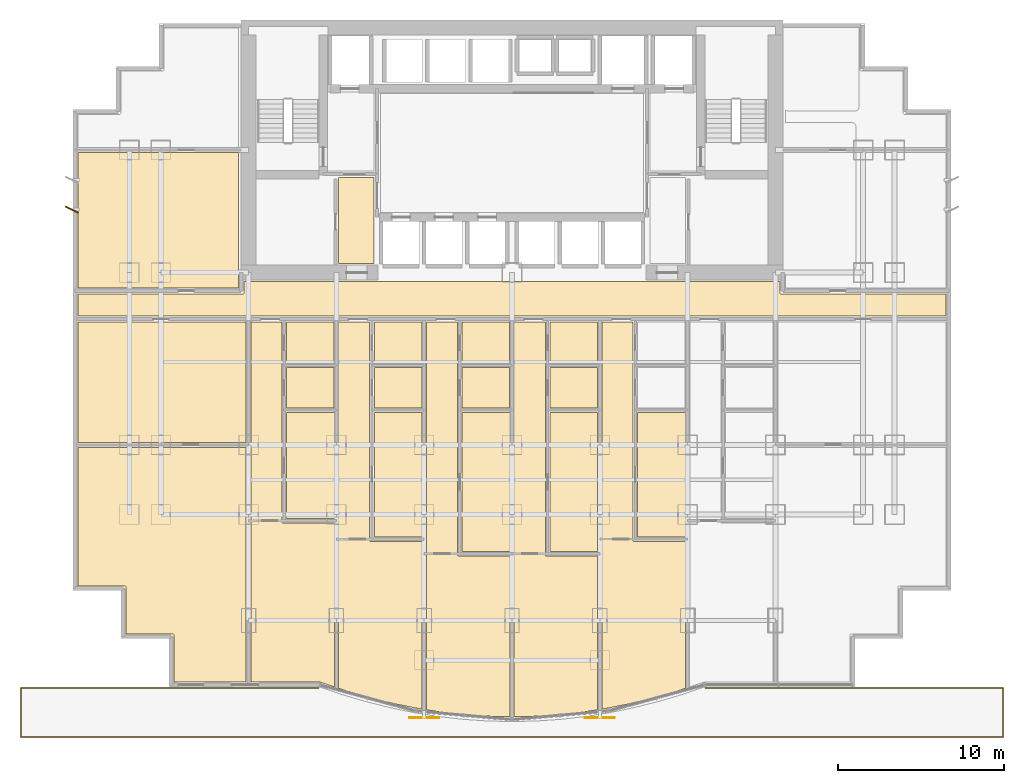
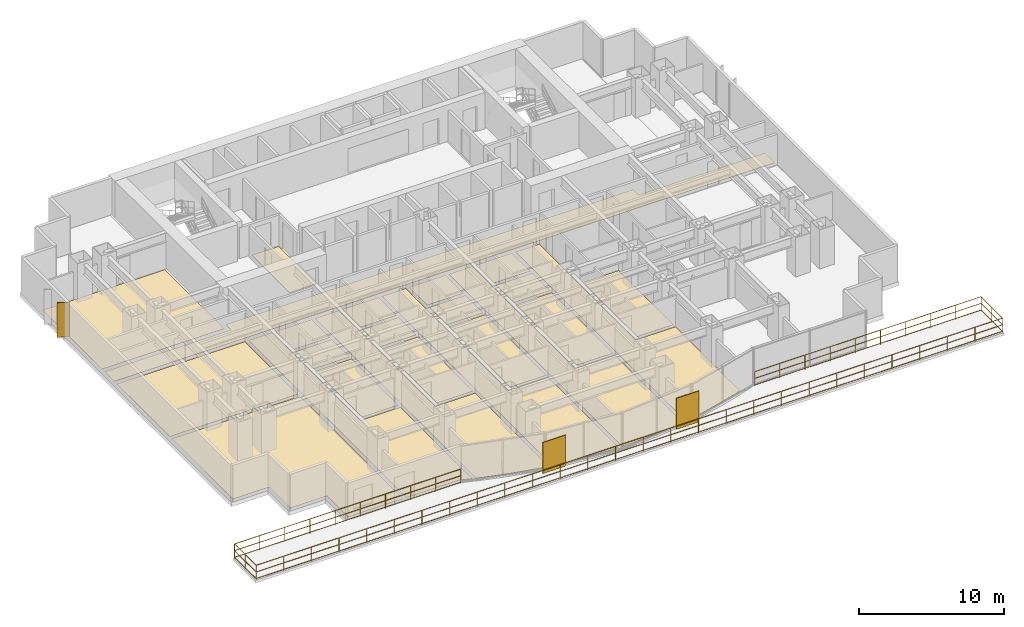
# One storey, part 9 of 11: 23 coverings, 3 shading devices, 1 railing.
"""IFC4 building model written with IfcOpenShell, lengths in metres."""

import ifcopenshell
import ifcopenshell.guid

model = None  # the IFC model being written
_history = None  # IfcOwnerHistory: only IFC2X3 demands one
_inside = {}  # id of a spatial element -> (the spatial element, [elements in it])
_under = {}  # id of a project, library or spatial element -> (it, [spatial elements below it])
_declared = {}  # id of a project -> (the project, [libraries it declares])
_typed = {}  # id of a type object -> (the type object, [elements of that type])
_made_of = {}  # id of a material, layer set ... -> (it, [elements and type objects made of it])


def new_model(schema):
    """Start an empty IFC model of exactly this schema.

    Asked for "IFC4X3", IfcOpenShell would pick the latest addendum, in which some entities
    have other attributes; the version numbers below select the first issue.
    IFC2X3 requires an IfcOwnerHistory on every rooted entity: one is made here for all.
    """
    global model, _history
    if schema == "IFC4X3":
        model = ifcopenshell.file(schema_version=(4, 3, 0, 0))
    else:
        model = ifcopenshell.file(schema=schema)
    _inside.clear()
    _under.clear()
    _declared.clear()
    _typed.clear()
    _made_of.clear()
    _history = None
    if model.schema == "IFC2X3":
        org = make("IfcOrganization", Name="unknown")
        user = make(
            "IfcPersonAndOrganization",
            ThePerson=make("IfcPerson", FamilyName="unknown"),
            TheOrganization=org,
        )
        app = make(
            "IfcApplication",
            ApplicationDeveloper=org,
            Version="unknown",
            ApplicationFullName="unknown",
            ApplicationIdentifier="unknown",
        )
        _history = make(
            "IfcOwnerHistory",
            OwningUser=user,
            OwningApplication=app,
            ChangeAction="ADDED",
            CreationDate=0,
        )
    return model


def make(cls, **values):
    """One entity of the class cls with the attributes given. An attribute that is None is left unset."""
    return model.create_entity(
        cls, **{name: value for name, value in values.items() if value is not None}
    )


def rooted(cls, **values):
    """An entity with a GlobalId (a new one), such as an element, a storey or a relation."""
    return make(cls, GlobalId=ifcopenshell.guid.new(), OwnerHistory=_history, **values)


def si_unit(unit_type, name, prefix=None):
    """IfcSIUnit, for example si_unit("LENGTHUNIT", "METRE", prefix="MILLI")."""
    return make("IfcSIUnit", UnitType=unit_type, Prefix=prefix, Name=name)


def assignment(units):
    """IfcUnitAssignment: the units of a project."""
    return None if units is None else make("IfcUnitAssignment", Units=units)


def point(xyz):
    """IfcCartesianPoint."""
    return None if xyz is None else make("IfcCartesianPoint", Coordinates=xyz)


def direction(xyz):
    """IfcDirection."""
    return None if xyz is None else make("IfcDirection", DirectionRatios=xyz)


def frame(location, z_axis=None, x_axis=None):
    """IfcAxis2Placement3D, a coordinate frame: its origin and axes. An axis left out is left unset."""
    return make(
        "IfcAxis2Placement3D",
        Location=point(location),
        Axis=direction(z_axis),
        RefDirection=direction(x_axis),
    )


def frame_2d(location, x_axis=None):
    """IfcAxis2Placement2D, a coordinate frame in the plane: its origin and x axis."""
    return make(
        "IfcAxis2Placement2D", Location=point(location), RefDirection=direction(x_axis)
    )


def origin():
    """The frame at (0, 0, 0) with its axes left unset."""
    return frame((0.0, 0.0, 0.0))


def origin_2d():
    """The frame at (0, 0) in the plane with its x axis left unset."""
    return frame_2d((0.0, 0.0))


def place(relative_to, where):
    """IfcLocalPlacement: puts the frame where relative to a parent placement (None: the world)."""
    return make(
        "IfcLocalPlacement", PlacementRelTo=relative_to, RelativePlacement=where
    )


def context(
    kind, dimensions, precision=None, world=None, true_north=None, identifier=None
):
    """IfcGeometricRepresentationContext, for example the 3D "Model" context."""
    return make(
        "IfcGeometricRepresentationContext",
        ContextIdentifier=identifier,
        ContextType=kind,
        CoordinateSpaceDimension=dimensions,
        Precision=precision,
        WorldCoordinateSystem=world,
        TrueNorth=true_north,
    )


def subcontext(parent, identifier, kind, view, scale=None):
    """IfcGeometricRepresentationSubContext, for example "Body" below "Model"."""
    return make(
        "IfcGeometricRepresentationSubContext",
        ContextIdentifier=identifier,
        ContextType=kind,
        ParentContext=parent,
        TargetScale=scale,
        TargetView=view,
    )


def project(units=None, contexts=None):
    """IfcProject with its units and contexts."""
    return rooted(
        "IfcProject",
        Name="project",
        RepresentationContexts=contexts,
        UnitsInContext=assignment(units),
    )


def spatial(cls, under=None, at=None, **own):
    """A site, building, storey or space (cls), placed at a placement, below another one or the project."""
    s = rooted(cls, ObjectPlacement=at, **own)
    if under is not None:
        _under.setdefault(under.id(), (under, []))[1].append(s)
    return s


def polyline(points):
    """IfcPolyline through the points."""
    return make("IfcPolyline", Points=[point(p) for p in points])


def profile(cls, at=None, kind="AREA", **sizes):
    """A parametric profile (cls). Its sizes go by their IFC names, for example OverallWidth=200.0."""
    return make(cls, ProfileType=kind, Position=at, **sizes)


def rectangle(**sizes):
    """IfcRectangleProfileDef."""
    return profile("IfcRectangleProfileDef", **sizes)


def circle(**sizes):
    """IfcCircleProfileDef."""
    return profile("IfcCircleProfileDef", **sizes)


def outline(outer, holes=None, kind="AREA"):
    """IfcArbitraryClosedProfileDef: a profile drawn as a closed curve; with holes, ...WithVoids."""
    if holes is None:
        return make("IfcArbitraryClosedProfileDef", ProfileType=kind, OuterCurve=outer)
    return make(
        "IfcArbitraryProfileDefWithVoids",
        ProfileType=kind,
        OuterCurve=outer,
        InnerCurves=holes,
    )


def extrude(swept, where, along, depth):
    """IfcExtrudedAreaSolid: the profile swept, set in the frame where, extruded along a direction by depth."""
    return make(
        "IfcExtrudedAreaSolid",
        SweptArea=swept,
        Position=where,
        ExtrudedDirection=direction(along),
        Depth=depth,
    )


def shape(context_of_items, identifier, shape_type, items):
    """IfcShapeRepresentation: the items that make up one representation, for example the "Body"."""
    return make(
        "IfcShapeRepresentation",
        ContextOfItems=context_of_items,
        RepresentationIdentifier=identifier,
        RepresentationType=shape_type,
        Items=items,
    )


def source(mapping_origin, context_of_items, identifier, shape_type, items):
    """IfcRepresentationMap: a shape defined once, which mapped items show again and again."""
    return make(
        "IfcRepresentationMap",
        MappingOrigin=mapping_origin,
        MappedRepresentation=shape(context_of_items, identifier, shape_type, items),
    )


def transform(
    local_origin,
    x_axis=None,
    y_axis=None,
    z_axis=None,
    scale=None,
    scale2=None,
    scale3=None,
    uniform=True,
):
    """IfcCartesianTransformationOperator3D, or its non-uniform kind. x_axis, y_axis, z_axis: its Axis1, 2, 3."""
    if uniform:
        return make(
            "IfcCartesianTransformationOperator3D",
            Axis1=direction(x_axis),
            Axis2=direction(y_axis),
            LocalOrigin=point(local_origin),
            Scale=scale,
            Axis3=direction(z_axis),
        )
    return make(
        "IfcCartesianTransformationOperator3DnonUniform",
        Axis1=direction(x_axis),
        Axis2=direction(y_axis),
        LocalOrigin=point(local_origin),
        Scale=scale,
        Axis3=direction(z_axis),
        Scale2=scale2,
        Scale3=scale3,
    )


def mapped(mapping_source, mapping_target):
    """IfcMappedItem: shows the shape of a source again, moved by a transform."""
    return make(
        "IfcMappedItem", MappingSource=mapping_source, MappingTarget=mapping_target
    )


def material(Name=None, Category=None):
    """IfcMaterial."""
    return make("IfcMaterial", Name=Name, Category=Category)


def layer(
    of_material, thickness, ventilated=None, Name=None, Category=None, Priority=None
):
    """IfcMaterialLayer: one layer of a wall or slab, of a material (None: an air gap)."""
    return make(
        "IfcMaterialLayer",
        Material=of_material,
        LayerThickness=thickness,
        IsVentilated=ventilated,
        Name=Name,
        Category=Category,
        Priority=Priority,
    )


def layer_set(layers, Name=None):
    """IfcMaterialLayerSet."""
    return make("IfcMaterialLayerSet", MaterialLayers=layers, LayerSetName=Name)


def made_of(thing, what):
    """Note that an element or type object is made of a material, layer set ...; save() writes the relation."""
    if what is not None:
        _made_of.setdefault(what.id(), (what, []))[1].append(thing)
    return thing


def type_object(cls, material=None, **own):
    """A type object (cls), such as IfcWallType, which elements share."""
    return made_of(rooted(cls, **own), material)


def element(
    cls,
    number,
    at=None,
    inside=None,
    cuts=None,
    type_object=None,
    material=None,
    context=None,
    identifier="Body",
    shape_type=None,
    held_by="IfcProductDefinitionShape",
    body=None,
    shapes=None,
    **own,
):
    """One element of the class cls, such as IfcWall. Its Tag is "e" and its number.

    at: its placement. inside: the storey or other place that contains it. cuts: it is an
    opening in that element (IfcRelVoidsElement). A single representation is given by context,
    identifier, shape_type and body (its items); several are given by shapes. held_by: the class
    of the entity that holds the representations. save() writes the other relations.
    """
    e = rooted(cls, Tag="e%d" % number, ObjectPlacement=at, **own)
    if body is not None:
        shapes = [shape(context, identifier, shape_type, body)]
    if shapes is not None:
        e.Representation = make(held_by, Representations=shapes)
    if inside is not None:
        _inside.setdefault(inside.id(), (inside, []))[1].append(e)
    if cuts is not None:
        rooted(
            "IfcRelVoidsElement", RelatingBuildingElement=cuts, RelatedOpeningElement=e
        )
    if type_object is not None:
        _typed.setdefault(type_object.id(), (type_object, []))[1].append(e)
    return made_of(e, material)


def aggregate(whole, parts):
    """IfcRelAggregates: a whole, such as a stair, and the parts it consists of."""
    return rooted("IfcRelAggregates", RelatingObject=whole, RelatedObjects=parts)


def save(model, path):
    """Write the relations noted so far, then the file.

    IfcRelAggregates (storeys below a building ...), IfcRelContainedInSpatialStructure (elements
    in a storey), IfcRelDefinesByType, IfcRelAssociatesMaterial and IfcRelDeclares: one each for
    every whole, place, type object, material and project.
    """
    for whole, parts in _under.values():
        aggregate(whole, parts)
    for where, things in _inside.values():
        rooted(
            "IfcRelContainedInSpatialStructure",
            RelatedElements=things,
            RelatingStructure=where,
        )
    for kind, things in _typed.values():
        rooted("IfcRelDefinesByType", RelatedObjects=things, RelatingType=kind)
    for what, things in _made_of.values():
        rooted("IfcRelAssociatesMaterial", RelatedObjects=things, RelatingMaterial=what)
    for by, libraries in _declared.values():
        rooted("IfcRelDeclares", RelatingContext=by, RelatedDefinitions=libraries)
    model.write(path)


model = new_model("IFC4")

# Units and contexts
model_context = context("Model", 3, precision=1e-05, world=origin(), true_north=direction((0.0, 1.0)))
body_context = subcontext(model_context, "Body", "Model", "MODEL_VIEW")
ifc_project = project(units=[si_unit("LENGTHUNIT", "METRE"), si_unit("AREAUNIT", "SQUARE_METRE"), si_unit("VOLUMEUNIT", "CUBIC_METRE"), si_unit("PLANEANGLEUNIT", "RADIAN"), si_unit("MASSUNIT", "GRAM", prefix="KILO")], contexts=[model_context])

# Site, building, storey
site_placement = place(None, origin())
site = spatial("IfcSite", under=ifc_project, at=site_placement, CompositionType="ELEMENT")
building_placement = place(site_placement, origin())
building = spatial("IfcBuilding", under=site, at=building_placement, Name="Qianlan Lanfeng Residences", CompositionType="ELEMENT")
storey_placement = place(building_placement, frame((0.0, 0.0, 24.199951171875)))
storey = spatial("IfcBuildingStorey", under=building, at=storey_placement, Name="L05", CompositionType="ELEMENT", Elevation=24.199951171875)

# Coverings
ifc_material_1 = material(Name="Honed Taitung Granite Stone Flooring", Category="masonry")
ifc_layer_1 = layer(ifc_material_1, 0.030029296875)
ifc_layer_set_1 = layer_set([ifc_layer_1], Name="Honed Taitung Granite Stone Flooring")
covering_type_1 = type_object("IfcCoveringType", Name="FLR-STN-30", PredefinedType="FLOORING", material=ifc_layer_set_1)
covering_1_placement = place(storey_placement, origin())
element("IfcCovering", 1, at=covering_1_placement, inside=storey, type_object=covering_type_1, Name="L05 Residential Corridor Floor Finish", PredefinedType="FLOORING", context=body_context, shape_type="SweptSolid", body=[
    extrude(outline(polyline([(0.2900390625, 22.580078125), (52.7099609375, 22.580078125), (52.7099609375, 23.919921875), (42.739990234375, 23.919921875), (42.73291015625, 23.919921875), (42.72607421875, 23.9208984375), (42.719970703125, 23.923095703125), (42.712890625, 23.925048828125), (42.70703125, 23.927978515625), (42.700927734375, 23.931884765625), (42.696044921875, 23.93603515625), (42.69091796875, 23.94091796875), (42.68603515625, 23.946044921875), (42.681884765625, 23.950927734375), (42.677978515625, 23.95703125), (42.675048828125, 23.962890625), (42.673095703125, 23.969970703125), (42.6708984375, 23.97607421875), (42.669921875, 23.98291015625), (42.669921875, 23.989990234375), (42.669921875, 24.64990234375), (10.330078125, 24.64990234375), (10.330078125, 23.989990234375), (10.330078125, 23.98291015625), (10.3291015625, 23.97607421875), (10.326904296875, 23.969970703125), (10.324951171875, 23.962890625), (10.322021484375, 23.95703125), (10.318115234375, 23.950927734375), (10.31396484375, 23.946044921875), (10.30908203125, 23.94091796875), (10.303955078125, 23.93603515625), (10.299072265625, 23.931884765625), (10.29296875, 23.927978515625), (10.287109375, 23.925048828125), (10.280029296875, 23.923095703125), (10.27392578125, 23.9208984375), (10.26708984375, 23.919921875), (10.260009765625, 23.919921875), (0.2900390625, 23.919921875), (0.2900390625, 22.580078125)])), origin(), (0.0, 0.0, 1.0), 0.030029296875),
])
covering_2_placement = place(storey_placement, origin())
element("IfcCovering", 2, at=covering_2_placement, inside=storey, type_object=covering_type_1, Name="L05 Lift Lobby Floor Finish", PredefinedType="FLOORING", context=body_context, shape_type="SweptSolid", body=[
    extrude(outline(polyline([(16.030029296875, 25.760009765625), (18.169921875, 25.760009765625), (18.169921875, 30.949951171875), (16.030029296875, 30.949951171875), (16.030029296875, 25.760009765625)])), origin(), (0.0, 0.0, 1.0), 0.030029296875),
])
ifc_material_2 = material(Name="Slip-Resistant Porcelain Tile Flooring")
ifc_layer_2 = layer(ifc_material_2, 0.02001953125)
ifc_layer_set_2 = layer_set([ifc_layer_2], Name="Slip-Resistant Porcelain Tile Flooring")
covering_type_2 = type_object("IfcCoveringType", Name="FLR-TIL-20", PredefinedType="FLOORING", material=ifc_layer_set_2)
covering_3_placement = place(storey_placement, origin())
element("IfcCovering", 3, at=covering_3_placement, inside=storey, type_object=covering_type_2, Name="L05 Kitchen Floor Finish", PredefinedType="FLOORING", context=body_context, shape_type="SweptSolid", body=[
    extrude(outline(polyline([(12.889892578125, 17.0400390625), (15.760009765625, 17.0400390625), (15.760009765625, 19.4599609375), (12.889892578125, 19.4599609375), (12.889892578125, 17.0400390625)])), origin(), (0.0, 0.0, 1.0), 0.02001953125),
])
covering_4_placement = place(storey_placement, origin())
element("IfcCovering", 4, at=covering_4_placement, inside=storey, type_object=covering_type_2, Name="L05 Bathroom Floor Finish", PredefinedType="FLOORING", context=body_context, shape_type="SweptSolid", body=[
    extrude(outline(polyline([(12.889892578125, 19.739990234375), (15.760009765625, 19.739990234375), (15.760009765625, 22.22998046875), (12.889892578125, 22.22998046875), (12.889892578125, 19.739990234375)])), origin(), (0.0, 0.0, 1.0), 0.02001953125),
])
covering_5_placement = place(storey_placement, origin())
element("IfcCovering", 5, at=covering_5_placement, inside=storey, type_object=covering_type_2, Name="L05 Kitchen Floor Finish", PredefinedType="FLOORING", context=body_context, shape_type="SweptSolid", body=[
    extrude(outline(polyline([(18.18994140625, 17.0400390625), (21.06005859375, 17.0400390625), (21.06005859375, 19.4599609375), (18.18994140625, 19.4599609375), (18.18994140625, 17.0400390625)])), origin(), (0.0, 0.0, 1.0), 0.02001953125),
])
covering_6_placement = place(storey_placement, origin())
element("IfcCovering", 6, at=covering_6_placement, inside=storey, type_object=covering_type_2, Name="L05 Bathroom Floor Finish", PredefinedType="FLOORING", context=body_context, shape_type="SweptSolid", body=[
    extrude(outline(polyline([(18.18994140625, 19.739990234375), (21.06005859375, 19.739990234375), (21.06005859375, 22.22998046875), (18.18994140625, 22.22998046875), (18.18994140625, 19.739990234375)])), origin(), (0.0, 0.0, 1.0), 0.02001953125),
])
covering_7_placement = place(storey_placement, origin())
element("IfcCovering", 7, at=covering_7_placement, inside=storey, type_object=covering_type_2, Name="L05 Kitchen Floor Finish", PredefinedType="FLOORING", context=body_context, shape_type="SweptSolid", body=[
    extrude(outline(polyline([(23.489990234375, 17.0400390625), (26.360107421875, 17.0400390625), (26.360107421875, 19.4599609375), (23.489990234375, 19.4599609375), (23.489990234375, 17.0400390625)])), origin(), (0.0, 0.0, 1.0), 0.02001953125),
])
covering_8_placement = place(storey_placement, origin())
element("IfcCovering", 8, at=covering_8_placement, inside=storey, type_object=covering_type_2, Name="L05 Bathroom Floor Finish", PredefinedType="FLOORING", context=body_context, shape_type="SweptSolid", body=[
    extrude(outline(polyline([(23.489990234375, 19.739990234375), (26.360107421875, 19.739990234375), (26.360107421875, 22.22998046875), (23.489990234375, 22.22998046875), (23.489990234375, 19.739990234375)])), origin(), (0.0, 0.0, 1.0), 0.02001953125),
])
covering_9_placement = place(storey_placement, origin())
element("IfcCovering", 9, at=covering_9_placement, inside=storey, type_object=covering_type_2, Name="L05 Kitchen Floor Finish", PredefinedType="FLOORING", context=body_context, shape_type="SweptSolid", body=[
    extrude(outline(polyline([(28.7900390625, 17.0400390625), (31.659912109375, 17.0400390625), (31.659912109375, 19.4599609375), (28.7900390625, 19.4599609375), (28.7900390625, 17.0400390625)])), origin(), (0.0, 0.0, 1.0), 0.02001953125),
])
covering_10_placement = place(storey_placement, origin())
element("IfcCovering", 10, at=covering_10_placement, inside=storey, type_object=covering_type_2, Name="L05 Bathroom Floor Finish", PredefinedType="FLOORING", context=body_context, shape_type="SweptSolid", body=[
    extrude(outline(polyline([(28.7900390625, 19.739990234375), (31.659912109375, 19.739990234375), (31.659912109375, 22.22998046875), (28.7900390625, 22.22998046875), (28.7900390625, 19.739990234375)])), origin(), (0.0, 0.0, 1.0), 0.02001953125),
])
ifc_material_3 = material(Name="Engineered Smoked Oak Timber Flooring", Category="wood")
ifc_layer_3 = layer(ifc_material_3, 0.02197265625)
ifc_layer_set_3 = layer_set([ifc_layer_3], Name="Engineered Smoked Oak Timber Flooring")
covering_type_3 = type_object("IfcCoveringType", Name="FLR-TIM-22", PredefinedType="FLOORING", material=ifc_layer_set_3)
covering_11_placement = place(storey_placement, origin())
element("IfcCovering", 11, at=covering_11_placement, inside=storey, type_object=covering_type_3, Name="L05 Studio Living Room Floor Finish", PredefinedType="FLOORING", context=body_context, shape_type="SweptSolid", body=[
    extrude(outline(polyline([(15.77001953125, 0.195068359375), (15.77001953125, 10.080078125), (12.679931640625, 10.080078125), (12.673095703125, 10.080078125), (12.666015625, 10.0810546875), (12.659912109375, 10.0830078125), (12.653076171875, 10.0849609375), (12.64697265625, 10.087890625), (12.64111328125, 10.092041015625), (12.635986328125, 10.095947265625), (12.631103515625, 10.10107421875), (12.6259765625, 10.10595703125), (12.6220703125, 10.111083984375), (12.617919921875, 10.116943359375), (12.614990234375, 10.123046875), (12.613037109375, 10.1298828125), (12.611083984375, 10.135986328125), (12.610107421875, 10.14306640625), (12.610107421875, 10.14990234375), (12.610107421875, 22.22998046875), (10.72998046875, 22.22998046875), (10.72998046875, 0.489990234375), (14.885986328125, 0.489990234375), (14.89404296875, 0.489990234375), (14.90087890625, 0.488037109375), (14.908935546875, 0.486083984375), (15.77001953125, 0.195068359375)])), origin(), (0.0, 0.0, 1.0), 0.02197265625),
])
covering_12_placement = place(storey_placement, origin())
element("IfcCovering", 12, at=covering_12_placement, inside=storey, type_object=covering_type_3, Name="L05 Villa Family Sitting Room Floor Finish", PredefinedType="FLOORING", context=body_context, shape_type="SweptSolid", body=[
    extrude(outline(polyline([(12.889892578125, 16.760009765625), (12.889892578125, 10.360107421875), (15.77001953125, 10.360107421875), (15.77001953125, 16.760009765625), (12.889892578125, 16.760009765625)])), origin(), (0.0, 0.0, 1.0), 0.02197265625),
])
covering_13_placement = place(storey_placement, origin())
element("IfcCovering", 13, at=covering_13_placement, inside=storey, type_object=covering_type_3, Name="L05 Studio Living Room Floor Finish", PredefinedType="FLOORING", context=body_context, shape_type="SweptSolid", body=[
    extrude(outline(polyline([(21.070068359375, -1.14404296875), (21.070068359375, 8.971923828125), (17.97998046875, 8.971923828125), (17.972900390625, 8.971923828125), (17.966064453125, 8.972900390625), (17.9599609375, 8.97509765625), (17.952880859375, 8.97705078125), (17.947021484375, 8.97998046875), (17.94091796875, 8.98388671875), (17.93603515625, 8.988037109375), (17.930908203125, 8.992919921875), (17.926025390625, 8.998046875), (17.922119140625, 9.0029296875), (17.91796875, 9.009033203125), (17.9150390625, 9.014892578125), (17.9130859375, 9.02197265625), (17.910888671875, 9.028076171875), (17.909912109375, 9.034912109375), (17.909912109375, 9.0419921875), (17.909912109375, 22.22998046875), (16.030029296875, 22.22998046875), (16.030029296875, 0.10693359375), (16.39306640625, -0.014892578125), (17.837890625, -0.43896484375), (19.282958984375, -0.797119140625), (20.72607421875, -1.090087890625), (21.070068359375, -1.14404296875)])), origin(), (0.0, 0.0, 1.0), 0.02197265625),
])
covering_14_placement = place(storey_placement, origin())
element("IfcCovering", 14, at=covering_14_placement, inside=storey, type_object=covering_type_3, Name="L05 Villa Family Sitting Room Floor Finish", PredefinedType="FLOORING", context=body_context, shape_type="SweptSolid", body=[
    extrude(outline(polyline([(18.18994140625, 16.760009765625), (18.18994140625, 9.251953125), (21.070068359375, 9.251953125), (21.070068359375, 16.760009765625), (18.18994140625, 16.760009765625)])), origin(), (0.0, 0.0, 1.0), 0.02197265625),
])
covering_15_placement = place(storey_placement, origin())
element("IfcCovering", 15, at=covering_15_placement, inside=storey, type_object=covering_type_3, Name="L05 Studio Living Room Floor Finish", PredefinedType="FLOORING", context=body_context, shape_type="SweptSolid", body=[
    extrude(outline(polyline([(26.3701171875, -1.60693359375), (26.3701171875, 8.093994140625), (23.280029296875, 8.093994140625), (23.27294921875, 8.093994140625), (23.26611328125, 8.094970703125), (23.260009765625, 8.096923828125), (23.2529296875, 8.09912109375), (23.2470703125, 8.10205078125), (23.240966796875, 8.10595703125), (23.236083984375, 8.110107421875), (23.23095703125, 8.114990234375), (23.22607421875, 8.1201171875), (23.221923828125, 8.125), (23.218017578125, 8.131103515625), (23.215087890625, 8.136962890625), (23.212890625, 8.14404296875), (23.2109375, 8.14990234375), (23.2099609375, 8.156982421875), (23.2099609375, 8.1640625), (23.2099609375, 22.22998046875), (21.330078125, 22.22998046875), (21.330078125, -1.18505859375), (22.169921875, -1.318115234375), (23.613037109375, -1.47998046875), (25.056884765625, -1.576904296875), (26.3701171875, -1.60693359375)])), origin(), (0.0, 0.0, 1.0), 0.02197265625),
])
covering_16_placement = place(storey_placement, origin())
element("IfcCovering", 16, at=covering_16_placement, inside=storey, type_object=covering_type_3, Name="L05 Villa Family Sitting Room Floor Finish", PredefinedType="FLOORING", context=body_context, shape_type="SweptSolid", body=[
    extrude(outline(polyline([(23.489990234375, 16.760009765625), (23.489990234375, 8.3740234375), (26.3701171875, 8.3740234375), (26.3701171875, 16.760009765625), (23.489990234375, 16.760009765625)])), origin(), (0.0, 0.0, 1.0), 0.02197265625),
])
covering_17_placement = place(storey_placement, origin())
element("IfcCovering", 17, at=covering_17_placement, inside=storey, type_object=covering_type_3, Name="L05 Studio Living Room Floor Finish", PredefinedType="FLOORING", context=body_context, shape_type="SweptSolid", body=[
    extrude(outline(polyline([(31.669921875, -1.18505859375), (31.669921875, 8.093994140625), (28.580078125, 8.093994140625), (28.572998046875, 8.093994140625), (28.56591796875, 8.094970703125), (28.56005859375, 8.096923828125), (28.552978515625, 8.09912109375), (28.547119140625, 8.10205078125), (28.541015625, 8.10595703125), (28.535888671875, 8.110107421875), (28.531005859375, 8.114990234375), (28.52587890625, 8.1201171875), (28.52197265625, 8.125), (28.51806640625, 8.131103515625), (28.514892578125, 8.136962890625), (28.512939453125, 8.14404296875), (28.510986328125, 8.14990234375), (28.510009765625, 8.156982421875), (28.510009765625, 8.1640625), (28.510009765625, 22.22998046875), (26.6298828125, 22.22998046875), (26.6298828125, -1.60693359375), (27.943115234375, -1.576904296875), (29.385986328125, -1.47998046875), (30.830078125, -1.318115234375), (31.669921875, -1.18505859375)])), origin(), (0.0, 0.0, 1.0), 0.02197265625),
])
covering_18_placement = place(storey_placement, origin())
element("IfcCovering", 18, at=covering_18_placement, inside=storey, type_object=covering_type_3, Name="L05 Villa Family Sitting Room Floor Finish", PredefinedType="FLOORING", context=body_context, shape_type="SweptSolid", body=[
    extrude(outline(polyline([(28.7900390625, 16.760009765625), (28.7900390625, 8.3740234375), (31.669921875, 8.3740234375), (31.669921875, 16.760009765625), (28.7900390625, 16.760009765625)])), origin(), (0.0, 0.0, 1.0), 0.02197265625),
])
covering_19_placement = place(storey_placement, origin())
element("IfcCovering", 19, at=covering_19_placement, inside=storey, type_object=covering_type_3, Name="L05 Studio Living Room Floor Finish", PredefinedType="FLOORING", context=body_context, shape_type="SweptSolid", body=[
    extrude(outline(polyline([(36.969970703125, 0.10693359375), (36.969970703125, 8.972900390625), (33.8798828125, 8.972900390625), (33.873046875, 8.972900390625), (33.865966796875, 8.97412109375), (33.860107421875, 8.97607421875), (33.85302734375, 8.97802734375), (33.846923828125, 8.98095703125), (33.841064453125, 8.985107421875), (33.8359375, 8.989013671875), (33.8310546875, 8.993896484375), (33.825927734375, 8.9990234375), (33.822021484375, 9.00390625), (33.818115234375, 9.010009765625), (33.81494140625, 9.01611328125), (33.81298828125, 9.02294921875), (33.81103515625, 9.029052734375), (33.81005859375, 9.035888671875), (33.81005859375, 9.04296875), (33.81005859375, 22.22998046875), (31.929931640625, 22.22998046875), (31.929931640625, -1.14404296875), (32.27392578125, -1.090087890625), (33.717041015625, -0.797119140625), (35.160888671875, -0.43896484375), (36.60693359375, -0.014892578125), (36.969970703125, 0.10693359375)])), origin(), (0.0, 0.0, 1.0), 0.02197265625),
])
covering_20_placement = place(storey_placement, origin())
element("IfcCovering", 20, at=covering_20_placement, inside=storey, type_object=covering_type_3, Name="L05 Villa Family Sitting Room Floor Finish", PredefinedType="FLOORING", context=body_context, shape_type="SweptSolid", body=[
    extrude(outline(polyline([(34.090087890625, 16.760009765625), (34.090087890625, 9.2529296875), (36.969970703125, 9.2529296875), (36.969970703125, 16.760009765625), (34.090087890625, 16.760009765625)])), origin(), (0.0, 0.0, 1.0), 0.02197265625),
])
covering_21_placement = place(storey_placement, origin())
element("IfcCovering", 21, at=covering_21_placement, inside=storey, type_object=covering_type_3, Name="L05 Sunroom Floor Finish", PredefinedType="FLOORING", context=body_context, shape_type="SweptSolid", body=[
    extrude(outline(polyline([(10.43994140625, 14.64990234375), (0.2900390625, 14.64990234375), (0.2900390625, 6.2900390625), (3.1201171875, 6.2900390625), (3.126953125, 6.2900390625), (3.134033203125, 6.2890625), (3.139892578125, 6.287109375), (3.14697265625, 6.284912109375), (3.153076171875, 6.281982421875), (3.158935546875, 6.278076171875), (3.1640625, 6.27392578125), (3.1689453125, 6.26904296875), (3.174072265625, 6.263916015625), (3.177978515625, 6.259033203125), (3.181884765625, 6.2529296875), (3.18505859375, 6.2470703125), (3.18701171875, 6.239990234375), (3.18896484375, 6.23388671875), (3.18994140625, 6.22705078125), (3.18994140625, 6.219970703125), (3.18994140625, 3.389892578125), (6.02001953125, 3.389892578125), (6.027099609375, 3.389892578125), (6.033935546875, 3.388916015625), (6.0400390625, 3.386962890625), (6.047119140625, 3.385009765625), (6.052978515625, 3.382080078125), (6.05908203125, 3.3779296875), (6.06396484375, 3.3740234375), (6.069091796875, 3.368896484375), (6.073974609375, 3.364013671875), (6.077880859375, 3.35888671875), (6.08203125, 3.35302734375), (6.0849609375, 3.346923828125), (6.0869140625, 3.340087890625), (6.089111328125, 3.333984375), (6.090087890625, 3.326904296875), (6.090087890625, 3.320068359375), (6.090087890625, 0.489990234375), (10.43994140625, 0.489990234375), (10.43994140625, 14.64990234375)])), origin(), (0.0, 0.0, 1.0), 0.02197265625),
])
covering_22_placement = place(storey_placement, origin())
element("IfcCovering", 22, at=covering_22_placement, inside=storey, type_object=covering_type_3, Name="L05 Family Sitting Room Floor Finish", PredefinedType="FLOORING", context=body_context, shape_type="SweptSolid", body=[
    extrude(outline(polyline([(10.43994140625, 22.22998046875), (0.2900390625, 22.22998046875), (0.2900390625, 14.949951171875), (10.43994140625, 14.949951171875), (10.43994140625, 22.22998046875)])), origin(), (0.0, 0.0, 1.0), 0.02197265625),
])
covering_23_placement = place(storey_placement, origin())
element("IfcCovering", 23, at=covering_23_placement, inside=storey, type_object=covering_type_3, Name="L05 Co-Working Business Suite Floor Finish", PredefinedType="FLOORING", context=body_context, shape_type="SweptSolid", body=[
    extrude(outline(polyline([(10.0, 32.449951171875), (0.2900390625, 32.449951171875), (0.2900390625, 24.280029296875), (10.0, 24.280029296875), (10.0, 32.449951171875)])), origin(), (0.0, 0.0, 1.0), 0.02197265625),
])

# Railing
ifc_material_4 = material(Name="Anodised Bronze Aluminium and Laminated Glass Guard Balustrade", Category="aluminium")
railing_type = type_object("IfcRailingType", Name="GR-EXT-1220", PredefinedType="BALUSTRADE", material=ifc_material_4)
railing_placement = place(storey_placement, frame((38.162109375, 0.1298828125, 0.0)))
element("IfcRailing", 24, at=railing_placement, inside=storey, type_object=railing_type, Name="L05 Terrace Safety Guard GR-L05-TER", PredefinedType="BALUSTRADE", context=body_context, shape_type="SweptSolid", body=[
    extrude(circle(Radius=0.02490234375, at=origin_2d()), frame((0.0, 0.0, 0.0849609375), z_axis=(1.0, 0.0, 0.0), x_axis=(0.0, 1.0, 0.0)), (0.0, 0.0, 1.0), 17.9677734375),
    extrude(circle(Radius=0.02490234375, at=origin_2d()), frame((0.0, 0.0, 0.63427734375), z_axis=(1.0, 0.0, 0.0), x_axis=(0.0, 1.0, 0.0)), (0.0, 0.0, 1.0), 17.9677734375),
    extrude(circle(Radius=0.02490234375, at=origin_2d()), frame((0.0, 0.0, 1.19482421875), z_axis=(1.0, 0.0, 0.0), x_axis=(0.0, 1.0, 0.0)), (0.0, 0.0, 1.0), 17.9677734375),
    extrude(circle(Radius=0.02490234375, at=origin_2d()), frame((17.9677734375, 0.0, 0.0849609375), z_axis=(0.0, -1.0, 0.0), x_axis=(1.0, 0.0, 0.0)), (0.0, 0.0, 1.0), 2.9599609375),
    extrude(circle(Radius=0.02490234375, at=origin_2d()), frame((17.9677734375, 0.0, 0.63427734375), z_axis=(0.0, -1.0, 0.0), x_axis=(1.0, 0.0, 0.0)), (0.0, 0.0, 1.0), 2.9599609375),
    extrude(circle(Radius=0.02490234375, at=origin_2d()), frame((17.9677734375, 0.0, 1.19482421875), z_axis=(0.0, -1.0, 0.0), x_axis=(1.0, 0.0, 0.0)), (0.0, 0.0, 1.0), 2.9599609375),
    extrude(circle(Radius=0.02490234375, at=origin_2d()), frame((17.9677734375, -2.9599609375, 0.0849609375), z_axis=(-1.0, 0.0, 0.0), x_axis=(0.0, -1.0, 0.0)), (0.0, 0.0, 1.0), 59.259765625),
    extrude(circle(Radius=0.02490234375, at=origin_2d()), frame((17.9677734375, -2.9599609375, 0.63427734375), z_axis=(-1.0, 0.0, 0.0), x_axis=(0.0, -1.0, 0.0)), (0.0, 0.0, 1.0), 59.259765625),
    extrude(circle(Radius=0.02490234375, at=origin_2d()), frame((17.9677734375, -2.9599609375, 1.19482421875), z_axis=(-1.0, 0.0, 0.0), x_axis=(0.0, -1.0, 0.0)), (0.0, 0.0, 1.0), 59.259765625),
    extrude(circle(Radius=0.02490234375, at=origin_2d()), frame((-41.2919921875, -2.9599609375, 0.0849609375), z_axis=(0.0, 1.0, 0.0), x_axis=(-1.0, 0.0, 0.0)), (0.0, 0.0, 1.0), 2.9599609375),
    extrude(circle(Radius=0.02490234375, at=origin_2d()), frame((-41.2919921875, -2.9599609375, 0.63427734375), z_axis=(0.0, 1.0, 0.0), x_axis=(-1.0, 0.0, 0.0)), (0.0, 0.0, 1.0), 2.9599609375),
    extrude(circle(Radius=0.02490234375, at=origin_2d()), frame((-41.2919921875, -2.9599609375, 1.19482421875), z_axis=(0.0, 1.0, 0.0), x_axis=(-1.0, 0.0, 0.0)), (0.0, 0.0, 1.0), 2.9599609375),
    extrude(circle(Radius=0.02490234375, at=origin_2d()), frame((-41.2919921875, 0.0, 0.0849609375), z_axis=(1.0, 0.0, 0.0), x_axis=(0.0, 1.0, 0.0)), (0.0, 0.0, 1.0), 17.9677734375),
    extrude(circle(Radius=0.02490234375, at=origin_2d()), frame((-41.2919921875, 0.0, 0.63427734375), z_axis=(1.0, 0.0, 0.0), x_axis=(0.0, 1.0, 0.0)), (0.0, 0.0, 1.0), 17.9677734375),
    extrude(circle(Radius=0.02490234375, at=origin_2d()), frame((-41.2919921875, 0.0, 1.19482421875), z_axis=(1.0, 0.0, 0.0), x_axis=(0.0, 1.0, 0.0)), (0.0, 0.0, 1.0), 17.9677734375),
    extrude(circle(Radius=0.02099609375, at=origin_2d()), origin(), (0.0, 0.0, 1.0), 1.169921875),
    extrude(circle(Radius=0.02099609375, at=origin_2d()), frame((1.996337890625, 0.0, 0.0)), (0.0, 0.0, 1.0), 1.169921875),
    extrude(circle(Radius=0.02099609375, at=origin_2d()), frame((3.992919921875, 0.0, 0.0)), (0.0, 0.0, 1.0), 1.169921875),
    extrude(circle(Radius=0.02099609375, at=origin_2d()), frame((5.9892578125, 0.0, 0.0)), (0.0, 0.0, 1.0), 1.169921875),
    extrude(circle(Radius=0.02099609375, at=origin_2d()), frame((7.985595703125, 0.0, 0.0)), (0.0, 0.0, 1.0), 1.169921875),
    extrude(circle(Radius=0.02099609375, at=origin_2d()), frame((9.982177734375, 0.0, 0.0)), (0.0, 0.0, 1.0), 1.169921875),
    extrude(circle(Radius=0.02099609375, at=origin_2d()), frame((11.978515625, 0.0, 0.0)), (0.0, 0.0, 1.0), 1.169921875),
    extrude(circle(Radius=0.02099609375, at=origin_2d()), frame((13.974853515625, 0.0, 0.0)), (0.0, 0.0, 1.0), 1.169921875),
    extrude(circle(Radius=0.02099609375, at=origin_2d()), frame((15.971435546875, 0.0, 0.0)), (0.0, 0.0, 1.0), 1.169921875),
    extrude(circle(Radius=0.02099609375, at=origin_2d()), frame((17.9677734375, 0.0, 0.0)), (0.0, 0.0, 1.0), 1.169921875),
    extrude(circle(Radius=0.02099609375, at=origin_2d()), frame((17.9677734375, -1.47998046875, 0.0)), (0.0, 0.0, 1.0), 1.169921875),
    extrude(circle(Radius=0.02099609375, at=origin_2d()), frame((17.9677734375, -2.9599609375, 0.0)), (0.0, 0.0, 1.0), 1.169921875),
    extrude(circle(Radius=0.02099609375, at=origin_2d()), frame((15.77294921875, -2.9599609375, 0.0)), (0.0, 0.0, 1.0), 1.169921875),
    extrude(circle(Radius=0.02099609375, at=origin_2d()), frame((13.578125, -2.9599609375, 0.0)), (0.0, 0.0, 1.0), 1.169921875),
    extrude(circle(Radius=0.02099609375, at=origin_2d()), frame((11.38330078125, -2.9599609375, 0.0)), (0.0, 0.0, 1.0), 1.169921875),
    extrude(circle(Radius=0.02099609375, at=origin_2d()), frame((9.1884765625, -2.9599609375, 0.0)), (0.0, 0.0, 1.0), 1.169921875),
    extrude(circle(Radius=0.02099609375, at=origin_2d()), frame((6.99365234375, -2.9599609375, 0.0)), (0.0, 0.0, 1.0), 1.169921875),
    extrude(circle(Radius=0.02099609375, at=origin_2d()), frame((4.798828125, -2.9599609375, 0.0)), (0.0, 0.0, 1.0), 1.169921875),
    extrude(circle(Radius=0.02099609375, at=origin_2d()), frame((2.604248046875, -2.9599609375, 0.0)), (0.0, 0.0, 1.0), 1.169921875),
    extrude(circle(Radius=0.02099609375, at=origin_2d()), frame((0.409423828125, -2.9599609375, 0.0)), (0.0, 0.0, 1.0), 1.169921875),
    extrude(circle(Radius=0.02099609375, at=origin_2d()), frame((-1.785400390625, -2.9599609375, 0.0)), (0.0, 0.0, 1.0), 1.169921875),
    extrude(circle(Radius=0.02099609375, at=origin_2d()), frame((-3.980224609375, -2.9599609375, 0.0)), (0.0, 0.0, 1.0), 1.169921875),
    extrude(circle(Radius=0.02099609375, at=origin_2d()), frame((-6.175048828125, -2.9599609375, 0.0)), (0.0, 0.0, 1.0), 1.169921875),
    extrude(circle(Radius=0.02099609375, at=origin_2d()), frame((-8.369873046875, -2.9599609375, 0.0)), (0.0, 0.0, 1.0), 1.169921875),
    extrude(circle(Radius=0.02099609375, at=origin_2d()), frame((-10.564697265625, -2.9599609375, 0.0)), (0.0, 0.0, 1.0), 1.169921875),
    extrude(circle(Radius=0.02099609375, at=origin_2d()), frame((-12.759521484375, -2.9599609375, 0.0)), (0.0, 0.0, 1.0), 1.169921875),
    extrude(circle(Radius=0.02099609375, at=origin_2d()), frame((-14.954345703125, -2.9599609375, 0.0)), (0.0, 0.0, 1.0), 1.169921875),
    extrude(circle(Radius=0.02099609375, at=origin_2d()), frame((-17.149169921875, -2.9599609375, 0.0)), (0.0, 0.0, 1.0), 1.169921875),
    extrude(circle(Radius=0.02099609375, at=origin_2d()), frame((-19.343994140625, -2.9599609375, 0.0)), (0.0, 0.0, 1.0), 1.169921875),
    extrude(circle(Radius=0.02099609375, at=origin_2d()), frame((-21.538818359375, -2.9599609375, 0.0)), (0.0, 0.0, 1.0), 1.169921875),
    extrude(circle(Radius=0.02099609375, at=origin_2d()), frame((-23.733642578125, -2.9599609375, 0.0)), (0.0, 0.0, 1.0), 1.169921875),
    extrude(circle(Radius=0.02099609375, at=origin_2d()), frame((-25.928466796875, -2.9599609375, 0.0)), (0.0, 0.0, 1.0), 1.169921875),
    extrude(circle(Radius=0.02099609375, at=origin_2d()), frame((-28.123046875, -2.9599609375, 0.0)), (0.0, 0.0, 1.0), 1.169921875),
    extrude(circle(Radius=0.02099609375, at=origin_2d()), frame((-30.31787109375, -2.9599609375, 0.0)), (0.0, 0.0, 1.0), 1.169921875),
    extrude(circle(Radius=0.02099609375, at=origin_2d()), frame((-32.5126953125, -2.9599609375, 0.0)), (0.0, 0.0, 1.0), 1.169921875),
    extrude(circle(Radius=0.02099609375, at=origin_2d()), frame((-34.70751953125, -2.9599609375, 0.0)), (0.0, 0.0, 1.0), 1.169921875),
    extrude(circle(Radius=0.02099609375, at=origin_2d()), frame((-36.90234375, -2.9599609375, 0.0)), (0.0, 0.0, 1.0), 1.169921875),
    extrude(circle(Radius=0.02099609375, at=origin_2d()), frame((-39.09716796875, -2.9599609375, 0.0)), (0.0, 0.0, 1.0), 1.169921875),
    extrude(circle(Radius=0.02099609375, at=origin_2d()), frame((-41.2919921875, -2.9599609375, 0.0)), (0.0, 0.0, 1.0), 1.169921875),
    extrude(circle(Radius=0.02099609375, at=origin_2d()), frame((-41.2919921875, -1.47998046875, 0.0)), (0.0, 0.0, 1.0), 1.169921875),
    extrude(circle(Radius=0.02099609375, at=origin_2d()), frame((-41.2919921875, 0.0, 0.0)), (0.0, 0.0, 1.0), 1.169921875),
    extrude(circle(Radius=0.02099609375, at=origin_2d()), frame((-39.295654296875, 0.0, 0.0)), (0.0, 0.0, 1.0), 1.169921875),
    extrude(circle(Radius=0.02099609375, at=origin_2d()), frame((-37.299072265625, 0.0, 0.0)), (0.0, 0.0, 1.0), 1.169921875),
    extrude(circle(Radius=0.02099609375, at=origin_2d()), frame((-35.302734375, 0.0, 0.0)), (0.0, 0.0, 1.0), 1.169921875),
    extrude(circle(Radius=0.02099609375, at=origin_2d()), frame((-33.306396484375, 0.0, 0.0)), (0.0, 0.0, 1.0), 1.169921875),
    extrude(circle(Radius=0.02099609375, at=origin_2d()), frame((-31.309814453125, 0.0, 0.0)), (0.0, 0.0, 1.0), 1.169921875),
    extrude(circle(Radius=0.02099609375, at=origin_2d()), frame((-29.3134765625, 0.0, 0.0)), (0.0, 0.0, 1.0), 1.169921875),
    extrude(circle(Radius=0.02099609375, at=origin_2d()), frame((-27.317138671875, 0.0, 0.0)), (0.0, 0.0, 1.0), 1.169921875),
    extrude(circle(Radius=0.02099609375, at=origin_2d()), frame((-25.320556640625, 0.0, 0.0)), (0.0, 0.0, 1.0), 1.169921875),
    extrude(circle(Radius=0.02099609375, at=origin_2d()), frame((-23.32421875, 0.0, 0.0)), (0.0, 0.0, 1.0), 1.169921875),
])

# Shading devices
ifc_material_5 = material(Name="Perforated Bronze Aluminium Solar Screen", Category="aluminium")
shading_device_type_1 = type_object("IfcShadingDeviceType", Name="SCR-BRZ-1800", PredefinedType="JALOUSIE", material=ifc_material_5)
shared_shape_1 = source(origin(), body_context, "Body", "SweptSolid", [
    extrude(rectangle(XDim=1.800048828125, YDim=0.06005859375, at=origin_2d()), origin(), (0.0, 0.0, 1.0), 2.60009765625),
])
for number, where, z_axis, x_axis, name in (
    (25, (21.199951171875, -1.659912109375, 0.0), (0.0, 0.0, 1.0), (1.0, 0.0, 0.0), "L05 Perforated Bronze Solar Screen 1"),
    (26, (31.800048828125, -1.659912109375, 0.0), (0.0, 0.0, 1.0), (1.0, 0.0, 0.0), "L05 Perforated Bronze Solar Screen 2"),
):
    element("IfcShadingDevice", number, at=place(storey_placement, frame(where, z_axis=z_axis, x_axis=x_axis)), inside=storey, type_object=shading_device_type_1, Name=name, PredefinedType="JALOUSIE", context=body_context, shape_type="MappedRepresentation", body=[
        mapped(shared_shape_1, transform((0.0, 0.0, 0.0), scale=1.0)),
    ])
ifc_material_6 = material(Name="Anodised Bronze Aluminium Solar Fin", Category="aluminium")
shading_device_type_2 = type_object("IfcShadingDeviceType", Name="FIN-BRZ-850", PredefinedType="SHUTTER", material=ifc_material_6)
shared_shape_2 = source(origin(), body_context, "Body", "SweptSolid", [
    extrude(rectangle(XDim=0.85009765625, YDim=0.080078125, at=origin_2d()), origin(), (0.0, 0.0, 1.0), 2.89990234375),
])
shading_device_placement = place(storey_placement, frame((-0.070068359375, 29.0, 0.0), z_axis=(0.0, 0.0, 1.0), x_axis=(0.898794046299, -0.438371146789, 0.0)))
element("IfcShadingDevice", 27, at=shading_device_placement, inside=storey, type_object=shading_device_type_2, Name="L05 Raked Bronze Solar Fin W1", PredefinedType="SHUTTER", context=body_context, shape_type="MappedRepresentation", body=[
    mapped(shared_shape_2, transform((0.0, 0.0, 0.0), scale=1.0)),
])

save(model, "model.ifc")
